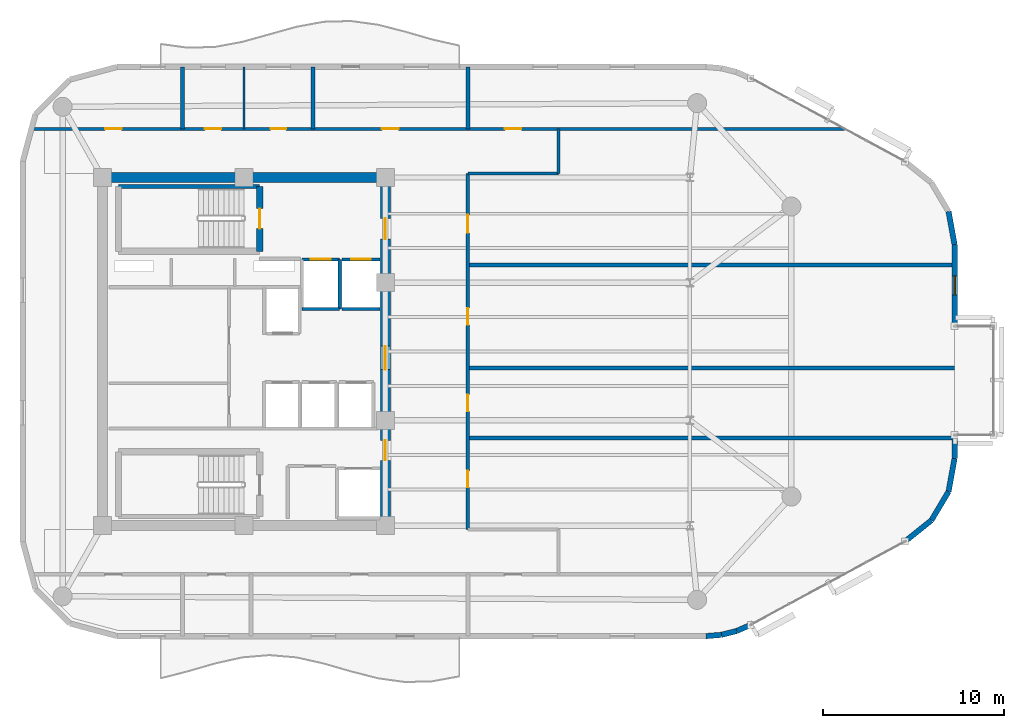
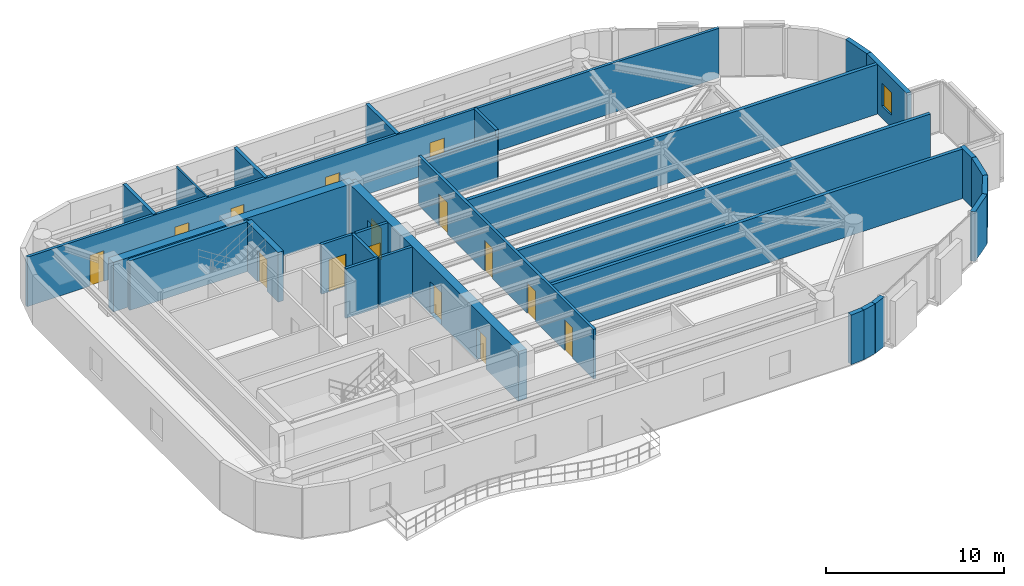
# One storey, part 11 of 14: 29 walls, 15 doors, 1 window, 16 openings.
"""IFC4 building model written with IfcOpenShell, lengths in metres."""

from ifc_helpers import new_model, si_unit, direction, frame, frame_2d, origin, place, context, subcontext, project, spatial, rectangle, extrude, material, layer, layer_set, type_object, element, fill, save


model = new_model("IFC4")

# Units and contexts
model_context = context("Model", 3, precision=1e-05, world=origin(), true_north=direction((0.0, 1.0)))
body_context = subcontext(model_context, "Body", "Model", "MODEL_VIEW")
ifc_project = project(units=[si_unit("LENGTHUNIT", "METRE"), si_unit("AREAUNIT", "SQUARE_METRE"), si_unit("VOLUMEUNIT", "CUBIC_METRE"), si_unit("PLANEANGLEUNIT", "RADIAN"), si_unit("MASSUNIT", "GRAM", prefix="KILO")], contexts=[model_context])

# Site, building, storey
site_placement = place(None, origin())
site = spatial("IfcSite", under=ifc_project, at=site_placement, CompositionType="ELEMENT")
building_placement = place(site_placement, origin())
building = spatial("IfcBuilding", under=site, at=building_placement, Name="An Khanh Terracotta Commons", CompositionType="ELEMENT")
storey_placement = place(building_placement, frame((0.0, 0.0, 219.300048828125)))
storey = spatial("IfcBuildingStorey", under=building, at=storey_placement, Name="L57", CompositionType="ELEMENT", Elevation=219.300048828125)

# Wall
ifc_material_1 = material(Name="Concrete C50/60", Category="concrete")
ifc_layer_1 = layer(ifc_material_1, 0.550048828125, Name="Concrete C50/60")
ifc_layer_set_1 = layer_set([ifc_layer_1], Name="Concrete C50/60")
wall_type_1 = type_object("IfcWallType", Name="WALL-CORE-550", PredefinedType="SHEAR", material=ifc_layer_set_1)
wall_1_placement = place(storey_placement, frame((21.60009765625, 33.60009765625, 0.0), z_axis=(0.0, 0.0, 1.0), x_axis=(1.0, 0.0, 0.0)))
element("IfcWall", 1, at=wall_1_placement, inside=storey, type_object=wall_type_1, Name="L57 Core Wall CWALL-L57-N", PredefinedType="SHEAR", context=body_context, shape_type="SweptSolid", body=[
    extrude(rectangle(XDim=15.599853515625, YDim=0.550048828125, at=frame_2d((7.7998046875, 0.0))), origin(), (0.0, 0.0, 1.0), 3.39990234375),
])

# Wall, openings, doors
wall_2_placement = place(storey_placement, frame((37.199951171875, 14.39990234375, 0.0), z_axis=(0.0, 0.0, 1.0), x_axis=(0.0, 1.0, 0.0)))
wall_2 = element("IfcWall", 2, at=wall_2_placement, inside=storey, type_object=wall_type_1, Name="L57 Core Wall CWALL-L57-E", PredefinedType="SHEAR", context=body_context, shape_type="SweptSolid", body=[
    extrude(rectangle(XDim=19.2001953125, YDim=0.550048828125, at=frame_2d((9.60009765625, 0.0))), origin(), (0.0, 0.0, 1.0), 3.39990234375),
])
opening_1_placement = place(wall_2_placement, frame((15.800048828125, 0.0, 0.0)))
opening_1 = element("IfcOpeningElement", 3, at=opening_1_placement, cuts=wall_2, Name="Opening D-FFL", PredefinedType="OPENING", context=body_context, shape_type="SweptSolid", body=[
    extrude(rectangle(XDim=1.14990234375, YDim=2.14990234375, at=frame_2d((0.574951171875, 1.074951171875))), frame((0.0, 0.284912109375, 0.0), z_axis=(0.0, -1.0, 0.0), x_axis=(1.0, 0.0, 0.0)), (0.0, 0.0, 1.0), 0.570068359375),
])
opening_2_placement = place(wall_2_placement, frame((3.60009765625, 0.0, 0.0)))
opening_2 = element("IfcOpeningElement", 4, at=opening_2_placement, cuts=wall_2, Name="Opening D-ST", PredefinedType="OPENING", context=body_context, shape_type="SweptSolid", body=[
    extrude(rectangle(XDim=1.10009765625, YDim=2.14990234375, at=frame_2d((0.550048828125, 1.074951171875))), frame((0.0, 0.284912109375, 0.0), z_axis=(0.0, -1.0, 0.0), x_axis=(1.0, 0.0, 0.0)), (0.0, 0.0, 1.0), 0.570068359375),
])
opening_3_placement = place(wall_2_placement, frame((8.60009765625, 0.0, 0.0)))
opening_3 = element("IfcOpeningElement", 5, at=opening_3_placement, cuts=wall_2, Name="Opening D-COR", PredefinedType="OPENING", context=body_context, shape_type="SweptSolid", body=[
    extrude(rectangle(XDim=1.300048828125, YDim=2.199951171875, at=frame_2d((0.64990234375, 1.10009765625))), frame((0.0, 0.284912109375, 0.0), z_axis=(0.0, -1.0, 0.0), x_axis=(1.0, 0.0, 0.0)), (0.0, 0.0, 1.0), 0.570068359375),
])
ifc_material_2 = material(Name="Fire-Rated Glazed Steel Double Door", Category="steel")
door_type_1 = type_object("IfcDoorType", Name="DOOR-CORR-1300", OperationType="NOTDEFINED", PredefinedType="DOOR", material=ifc_material_2)
door_1_placement = place(opening_3_placement, origin())
door_1 = element("IfcDoor", 6, at=door_1_placement, inside=storey, type_object=door_type_1, Name="L57 Passenger Lift Lobby Double Door", OperationType="DOUBLE_DOOR_SINGLE_SWING", OverallHeight=2.199951171875, OverallWidth=1.300048828125, PredefinedType="DOOR", context=body_context, shape_type="SweptSolid", body=[
    extrude(rectangle(XDim=1.300048828125, YDim=2.199951171875, at=frame_2d((0.64990234375, 1.10009765625))), frame((0.0, 0.02490234375, 0.0), z_axis=(0.0, -1.0, 0.0), x_axis=(1.0, 0.0, 0.0)), (0.0, 0.0, 1.0), 0.050048828125),
])
fill(opening_3, door_1)
ifc_material_3 = material(Name="Fire-Rated Steel Leaf and Vision Panel", Category="steel")
door_type_2 = type_object("IfcDoorType", Name="DOOR-FFL-1150", OperationType="NOTDEFINED", PredefinedType="DOOR", material=ifc_material_3)
door_2_placement = place(opening_1_placement, origin())
door_2 = element("IfcDoor", 7, at=door_2_placement, inside=storey, type_object=door_type_2, Name="L57 Firefighting Lift Lobby Fire Door", OperationType="SINGLE_SWING_LEFT", OverallHeight=2.14990234375, OverallWidth=1.14990234375, PredefinedType="DOOR", context=body_context, shape_type="SweptSolid", body=[
    extrude(rectangle(XDim=1.14990234375, YDim=2.14990234375, at=frame_2d((0.574951171875, 1.074951171875))), frame((0.0, 0.02490234375, 0.0), z_axis=(0.0, -1.0, 0.0), x_axis=(1.0, 0.0, 0.0)), (0.0, 0.0, 1.0), 0.050048828125),
])
fill(opening_1, door_2)
ifc_material_4 = material(Name="Fire-Rated Steel Leaf and Frame", Category="steel")
door_type_3 = type_object("IfcDoorType", Name="DOOR-STAIR-1100", OperationType="NOTDEFINED", PredefinedType="DOOR", material=ifc_material_4)
door_3_placement = place(opening_2_placement, origin())
door_3 = element("IfcDoor", 8, at=door_3_placement, inside=storey, type_object=door_type_3, Name="L57 South Stair Lobby Fire Door", OperationType="SINGLE_SWING_RIGHT", OverallHeight=2.14990234375, OverallWidth=1.10009765625, PredefinedType="DOOR", context=body_context, shape_type="SweptSolid", body=[
    extrude(rectangle(XDim=1.10009765625, YDim=2.14990234375, at=frame_2d((0.550048828125, 1.074951171875))), frame((0.0, 0.02490234375, 0.0), z_axis=(0.0, -1.0, 0.0), x_axis=(1.0, 0.0, 0.0)), (0.0, 0.0, 1.0), 0.050048828125),
])
fill(opening_2, door_3)

# Wall, opening, door
ifc_material_5 = material(Name="Fire-Rated Gypsum Board on Steel Stud", Category="steel")
ifc_layer_2 = layer(ifc_material_5, 0.179931640625, Name="Fire-Rated Gypsum Board on Steel Stud")
ifc_layer_set_2 = layer_set([ifc_layer_2], Name="Fire-Rated Gypsum Board on Steel Stud")
wall_type_2 = type_object("IfcWallType", Name="WALL-CORR-180", PredefinedType="PARTITIONING", material=ifc_layer_set_2)
wall_3_placement = place(storey_placement, frame((32.60009765625, 29.080078125, 0.0), z_axis=(0.0, 0.0, 1.0), x_axis=(1.0, 0.0, 0.0)))
wall_3 = element("IfcWall", 9, at=wall_3_placement, inside=storey, type_object=wall_type_2, Name="L57 Core Wall LSH-L57-FFL-01-N", PredefinedType="PARTITIONING", context=body_context, shape_type="SweptSolid", body=[
    extrude(rectangle(XDim=2.079833984375, YDim=0.179931640625, at=frame_2d((1.0400390625, 0.0))), origin(), (0.0, 0.0, 1.0), 3.39990234375),
])
opening_4_placement = place(wall_3_placement, frame((0.489990234375, 0.0, 0.0)))
opening_4 = element("IfcOpeningElement", 10, at=opening_4_placement, cuts=wall_3, Name="Opening LD-FFL-01-L57", PredefinedType="OPENING", context=body_context, shape_type="SweptSolid", body=[
    extrude(rectangle(XDim=1.10009765625, YDim=2.199951171875, at=frame_2d((0.550048828125, 1.10009765625))), frame((0.0, 0.099853515625, 0.0), z_axis=(0.0, -1.0, 0.0), x_axis=(1.0, 0.0, 0.0)), (0.0, 0.0, 1.0), 0.199951171875),
])
ifc_material_6 = material(Name="Brushed Stainless Steel Fire Landing Door", Category="steel")
door_type_4 = type_object("IfcDoorType", Name="DOOR-LD-FFL-1100", OperationType="NOTDEFINED", PredefinedType="DOOR", material=ifc_material_6)
door_4_placement = place(opening_4_placement, origin())
door_4 = element("IfcDoor", 11, at=door_4_placement, inside=storey, type_object=door_type_4, Name="L57 Lift FFL-01 Sliding Landing Door", OperationType="DOUBLE_DOOR_SLIDING", OverallHeight=2.199951171875, OverallWidth=1.10009765625, PredefinedType="DOOR", context=body_context, shape_type="SweptSolid", body=[
    extrude(rectangle(XDim=1.10009765625, YDim=2.199951171875, at=frame_2d((0.550048828125, 1.10009765625))), frame((0.0, 0.02490234375, 0.0), z_axis=(0.0, -1.0, 0.0), x_axis=(1.0, 0.0, 0.0)), (0.0, 0.0, 1.0), 0.050048828125),
])
fill(opening_4, door_4)

# Walls
wall_4_placement = place(storey_placement, frame((34.679931640625, 26.35009765625, 0.0), z_axis=(0.0, 0.0, 1.0), x_axis=(-1.0, 0.0, 0.0)))
element("IfcWall", 12, at=wall_4_placement, inside=storey, type_object=wall_type_2, Name="L57 Core Wall LSH-L57-FFL-01-S", PredefinedType="PARTITIONING", context=body_context, shape_type="SweptSolid", body=[
    extrude(rectangle(XDim=2.079833984375, YDim=0.179931640625, at=frame_2d((1.0400390625, 0.0))), origin(), (0.0, 0.0, 1.0), 3.39990234375),
])
wall_5_placement = place(storey_placement, frame((34.679931640625, 26.35009765625, 0.0), z_axis=(0.0, 0.0, 1.0), x_axis=(0.0, 1.0, 0.0)))
element("IfcWall", 13, at=wall_5_placement, inside=storey, type_object=wall_type_2, Name="L57 Core Wall LSH-L57-FFL-01-E", PredefinedType="PARTITIONING", context=body_context, shape_type="SweptSolid", body=[
    extrude(rectangle(XDim=2.72998046875, YDim=0.179931640625, at=frame_2d((1.364990234375, 0.0))), origin(), (0.0, 0.0, 1.0), 3.39990234375),
])

# Wall, opening, door
wall_6_placement = place(storey_placement, frame((34.820068359375, 29.080078125, 0.0), z_axis=(0.0, 0.0, 1.0), x_axis=(1.0, 0.0, 0.0)))
wall_6 = element("IfcWall", 14, at=wall_6_placement, inside=storey, type_object=wall_type_2, Name="L57 Core Wall LSH-L57-FFL-02-N", PredefinedType="PARTITIONING", context=body_context, shape_type="SweptSolid", body=[
    extrude(rectangle(XDim=2.079833984375, YDim=0.179931640625, at=frame_2d((1.0400390625, 0.0))), origin(), (0.0, 0.0, 1.0), 3.39990234375),
])
opening_5_placement = place(wall_6_placement, frame((0.489990234375, 0.0, 0.0)))
opening_5 = element("IfcOpeningElement", 15, at=opening_5_placement, cuts=wall_6, Name="Opening LD-FFL-02-L57", PredefinedType="OPENING", context=body_context, shape_type="SweptSolid", body=[
    extrude(rectangle(XDim=1.10009765625, YDim=2.199951171875, at=frame_2d((0.550048828125, 1.10009765625))), frame((0.0, 0.099853515625, 0.0), z_axis=(0.0, -1.0, 0.0), x_axis=(1.0, 0.0, 0.0)), (0.0, 0.0, 1.0), 0.199951171875),
])
door_5_placement = place(opening_5_placement, origin())
door_5 = element("IfcDoor", 16, at=door_5_placement, inside=storey, type_object=door_type_4, Name="L57 Lift FFL-02 Sliding Landing Door", OperationType="DOUBLE_DOOR_SLIDING", OverallHeight=2.199951171875, OverallWidth=1.10009765625, PredefinedType="DOOR", context=body_context, shape_type="SweptSolid", body=[
    extrude(rectangle(XDim=1.10009765625, YDim=2.199951171875, at=frame_2d((0.550048828125, 1.10009765625))), frame((0.0, 0.02490234375, 0.0), z_axis=(0.0, -1.0, 0.0), x_axis=(1.0, 0.0, 0.0)), (0.0, 0.0, 1.0), 0.050048828125),
])
fill(opening_5, door_5)

# Walls
wall_7_placement = place(storey_placement, frame((36.89990234375, 26.35009765625, 0.0), z_axis=(0.0, 0.0, 1.0), x_axis=(-1.0, 0.0, 0.0)))
element("IfcWall", 17, at=wall_7_placement, inside=storey, type_object=wall_type_2, Name="L57 Core Wall LSH-L57-FFL-02-S", PredefinedType="PARTITIONING", context=body_context, shape_type="SweptSolid", body=[
    extrude(rectangle(XDim=2.079833984375, YDim=0.179931640625, at=frame_2d((1.0400390625, 0.0))), origin(), (0.0, 0.0, 1.0), 3.39990234375),
])
wall_8_placement = place(storey_placement, frame((41.75, 33.820068359375, 0.0), z_axis=(0.0, 0.0, 1.0), x_axis=(1.0, 0.0, 0.0)))
element("IfcWall", 18, at=wall_8_placement, inside=storey, type_object=wall_type_2, Name="L57 Interior Partition IW-L57-E006", PredefinedType="PARTITIONING", context=body_context, shape_type="SweptSolid", body=[
    extrude(rectangle(XDim=5.0, YDim=0.179931640625, at=frame_2d((2.5, 0.0))), origin(), (0.0, 0.0, 1.0), 2.98193359375),
])

# Wall, openings, doors
wall_9_placement = place(storey_placement, frame((17.677001953125, 36.280029296875, 0.0), z_axis=(0.0, 0.0, 1.0), x_axis=(1.0, 0.0, 0.0)))
wall_9 = element("IfcWall", 19, at=wall_9_placement, inside=storey, type_object=wall_type_2, Name="L57 Interior Partition IW-L57-E007", PredefinedType="PARTITIONING", context=body_context, shape_type="SweptSolid", body=[
    extrude(rectangle(XDim=44.85302734375, YDim=0.179931640625, at=frame_2d((22.426513671875, 0.0))), origin(), (0.0, 0.0, 1.0), 3.39990234375),
])
opening_6_placement = place(wall_9_placement, frame((9.572998046875, 0.0, 0.0)))
opening_6 = element("IfcOpeningElement", 20, at=opening_6_placement, cuts=wall_9, Name="Opening D-WC", PredefinedType="OPENING", context=body_context, shape_type="SweptSolid", body=[
    extrude(rectangle(XDim=0.89990234375, YDim=2.10009765625, at=frame_2d((0.449951171875, 1.050048828125))), frame((0.0, 0.099853515625, 0.0), z_axis=(0.0, -1.0, 0.0), x_axis=(1.0, 0.0, 0.0)), (0.0, 0.0, 1.0), 0.199951171875),
])
opening_7_placement = place(wall_9_placement, frame((13.193115234375, 0.0, 0.0)))
opening_7 = element("IfcOpeningElement", 21, at=opening_7_placement, cuts=wall_9, Name="Opening D-ENS", PredefinedType="OPENING", context=body_context, shape_type="SweptSolid", body=[
    extrude(rectangle(XDim=0.860107421875, YDim=2.10009765625, at=frame_2d((0.43017578125, 1.050048828125))), frame((0.0, 0.099853515625, 0.0), z_axis=(0.0, -1.0, 0.0), x_axis=(1.0, 0.0, 0.0)), (0.0, 0.0, 1.0), 0.199951171875),
])
opening_8_placement = place(wall_9_placement, frame((26.113037109375, 0.0, 0.0)))
opening_8 = element("IfcOpeningElement", 22, at=opening_8_placement, cuts=wall_9, Name="Opening D-RM", PredefinedType="OPENING", context=body_context, shape_type="SweptSolid", body=[
    extrude(rectangle(XDim=0.919921875, YDim=2.10009765625, at=frame_2d((0.4599609375, 1.050048828125))), frame((0.0, 0.099853515625, 0.0), z_axis=(0.0, -1.0, 0.0), x_axis=(1.0, 0.0, 0.0)), (0.0, 0.0, 1.0), 0.199951171875),
])
opening_9_placement = place(wall_9_placement, frame((4.06298828125, 0.0, 0.0)))
opening_9 = element("IfcOpeningElement", 23, at=opening_9_placement, cuts=wall_9, Name="Opening D-RM", PredefinedType="OPENING", context=body_context, shape_type="SweptSolid", body=[
    extrude(rectangle(XDim=0.919921875, YDim=2.10009765625, at=frame_2d((0.4599609375, 1.050048828125))), frame((0.0, 0.099853515625, 0.0), z_axis=(0.0, -1.0, 0.0), x_axis=(1.0, 0.0, 0.0)), (0.0, 0.0, 1.0), 0.199951171875),
])
opening_10_placement = place(wall_9_placement, frame((19.337890625, 0.0, 0.0)))
opening_10 = element("IfcOpeningElement", 24, at=opening_10_placement, cuts=wall_9, Name="Opening D-RM", PredefinedType="OPENING", context=body_context, shape_type="SweptSolid", body=[
    extrude(rectangle(XDim=0.919921875, YDim=2.10009765625, at=frame_2d((0.4599609375, 1.050048828125))), frame((0.0, 0.099853515625, 0.0), z_axis=(0.0, -1.0, 0.0), x_axis=(1.0, 0.0, 0.0)), (0.0, 0.0, 1.0), 0.199951171875),
])
ifc_material_7 = material(Name="Moisture-Resistant Hardwood Timber Leaf", Category="wood")
door_type_5 = type_object("IfcDoorType", Name="DOOR-BATH-860", OperationType="NOTDEFINED", PredefinedType="DOOR", material=ifc_material_7)
door_6_placement = place(opening_7_placement, origin())
door_6 = element("IfcDoor", 25, at=door_6_placement, inside=storey, type_object=door_type_5, Name="L57 SHW Resident Shared Shower and Washroom Door", OperationType="SINGLE_SWING_LEFT", OverallHeight=2.10009765625, OverallWidth=0.860107421875, PredefinedType="DOOR", context=body_context, shape_type="SweptSolid", body=[
    extrude(rectangle(XDim=0.860107421875, YDim=2.10009765625, at=frame_2d((0.43017578125, 1.050048828125))), frame((0.0, 0.02490234375, 0.0), z_axis=(0.0, -1.0, 0.0), x_axis=(1.0, 0.0, 0.0)), (0.0, 0.0, 1.0), 0.050048828125),
])
fill(opening_7, door_6)
ifc_material_8 = material(Name="Engineered Hardwood Timber Leaf", Category="wood")
door_type_6 = type_object("IfcDoorType", Name="DOOR-INT-920", OperationType="NOTDEFINED", PredefinedType="DOOR", material=ifc_material_8)
door_7_placement = place(opening_8_placement, origin())
door_7 = element("IfcDoor", 26, at=door_7_placement, inside=storey, type_object=door_type_6, Name="L57 FANN Quiet Focus Office Door", OperationType="SINGLE_SWING_LEFT", OverallHeight=2.10009765625, OverallWidth=0.919921875, PredefinedType="DOOR", context=body_context, shape_type="SweptSolid", body=[
    extrude(rectangle(XDim=0.919921875, YDim=2.10009765625, at=frame_2d((0.4599609375, 1.050048828125))), frame((0.0, 0.02490234375, 0.0), z_axis=(0.0, -1.0, 0.0), x_axis=(1.0, 0.0, 0.0)), (0.0, 0.0, 1.0), 0.050048828125),
])
fill(opening_8, door_7)
door_8_placement = place(opening_9_placement, origin())
door_8 = element("IfcDoor", 27, at=door_8_placement, inside=storey, type_object=door_type_6, Name="L57 NW1 Collaborative Co-Working Office Door", OperationType="SINGLE_SWING_LEFT", OverallHeight=2.10009765625, OverallWidth=0.919921875, PredefinedType="DOOR", context=body_context, shape_type="SweptSolid", body=[
    extrude(rectangle(XDim=0.919921875, YDim=2.10009765625, at=frame_2d((0.4599609375, 1.050048828125))), frame((0.0, 0.02490234375, 0.0), z_axis=(0.0, -1.0, 0.0), x_axis=(1.0, 0.0, 0.0)), (0.0, 0.0, 1.0), 0.050048828125),
])
fill(opening_9, door_8)
door_9_placement = place(opening_10_placement, origin())
door_9 = element("IfcDoor", 28, at=door_9_placement, inside=storey, type_object=door_type_6, Name="L57 NWE Collaborative Co-Working Office Door", OperationType="SINGLE_SWING_RIGHT", OverallHeight=2.10009765625, OverallWidth=0.919921875, PredefinedType="DOOR", context=body_context, shape_type="SweptSolid", body=[
    extrude(rectangle(XDim=0.919921875, YDim=2.10009765625, at=frame_2d((0.4599609375, 1.050048828125))), frame((0.0, 0.02490234375, 0.0), z_axis=(0.0, -1.0, 0.0), x_axis=(1.0, 0.0, 0.0)), (0.0, 0.0, 1.0), 0.050048828125),
])
fill(opening_10, door_9)
ifc_material_9 = material(Name="Laminate Moisture-Resistant Timber Leaf", Category="wood")
door_type_7 = type_object("IfcDoorType", Name="DOOR-WC-900", OperationType="NOTDEFINED", PredefinedType="DOOR", material=ifc_material_9)
door_10_placement = place(opening_6_placement, origin())
door_10 = element("IfcDoor", 29, at=door_10_placement, inside=storey, type_object=door_type_7, Name="L57 AWC Accessible WC Door", OperationType="SINGLE_SWING_RIGHT", OverallHeight=2.10009765625, OverallWidth=0.89990234375, PredefinedType="DOOR", context=body_context, shape_type="SweptSolid", body=[
    extrude(rectangle(XDim=0.89990234375, YDim=2.10009765625, at=frame_2d((0.449951171875, 1.050048828125))), frame((0.0, 0.02490234375, 0.0), z_axis=(0.0, -1.0, 0.0), x_axis=(1.0, 0.0, 0.0)), (0.0, 0.0, 1.0), 0.050048828125),
])
fill(opening_6, door_10)

wall_10_placement = place(storey_placement, frame((41.75, 14.179931640625, 0.0), z_axis=(0.0, 0.0, 1.0), x_axis=(0.0, 1.0, 0.0)))
wall_10 = element("IfcWall", 30, at=wall_10_placement, inside=storey, type_object=wall_type_2, Name="L57 Interior Partition IW-L57-E014", PredefinedType="PARTITIONING", context=body_context, shape_type="SweptSolid", body=[
    extrude(rectangle(XDim=19.64013671875, YDim=0.179931640625, at=frame_2d((9.820068359375, 0.0))), origin(), (0.0, 0.0, 1.0), 3.39990234375),
])
opening_11_placement = place(wall_10_placement, frame((2.322021484375, 0.0, 0.0)))
opening_11 = element("IfcOpeningElement", 31, at=opening_11_placement, cuts=wall_10, Name="Opening D-RM", PredefinedType="OPENING", context=body_context, shape_type="SweptSolid", body=[
    extrude(rectangle(XDim=0.919921875, YDim=2.10009765625, at=frame_2d((0.4599609375, 1.050048828125))), frame((0.0, 0.099853515625, 0.0), z_axis=(0.0, -1.0, 0.0), x_axis=(1.0, 0.0, 0.0)), (0.0, 0.0, 1.0), 0.199951171875),
])
opening_12_placement = place(wall_10_placement, frame((6.51708984375, 0.0, 0.0)))
opening_12 = element("IfcOpeningElement", 32, at=opening_12_placement, cuts=wall_10, Name="Opening D-RM", PredefinedType="OPENING", context=body_context, shape_type="SweptSolid", body=[
    extrude(rectangle(XDim=0.919921875, YDim=2.10009765625, at=frame_2d((0.4599609375, 1.050048828125))), frame((0.0, 0.099853515625, 0.0), z_axis=(0.0, -1.0, 0.0), x_axis=(1.0, 0.0, 0.0)), (0.0, 0.0, 1.0), 0.199951171875),
])
opening_13_placement = place(wall_10_placement, frame((11.29296875, 0.0, 0.0)))
opening_13 = element("IfcOpeningElement", 33, at=opening_13_placement, cuts=wall_10, Name="Opening D-RM", PredefinedType="OPENING", context=body_context, shape_type="SweptSolid", body=[
    extrude(rectangle(XDim=0.919921875, YDim=2.10009765625, at=frame_2d((0.4599609375, 1.050048828125))), frame((0.0, 0.099853515625, 0.0), z_axis=(0.0, -1.0, 0.0), x_axis=(1.0, 0.0, 0.0)), (0.0, 0.0, 1.0), 0.199951171875),
])
opening_14_placement = place(wall_10_placement, frame((16.35791015625, 0.0, 0.0)))
opening_14 = element("IfcOpeningElement", 34, at=opening_14_placement, cuts=wall_10, Name="Opening D-UN", PredefinedType="OPENING", context=body_context, shape_type="SweptSolid", body=[
    extrude(rectangle(XDim=1.0, YDim=2.14990234375, at=frame_2d((0.5, 1.074951171875))), frame((0.0, 0.099853515625, 0.0), z_axis=(0.0, -1.0, 0.0), x_axis=(1.0, 0.0, 0.0)), (0.0, 0.0, 1.0), 0.199951171875),
])
door_11_placement = place(opening_11_placement, origin())
door_11 = element("IfcDoor", 35, at=door_11_placement, inside=storey, type_object=door_type_6, Name="L57 FAN1 Collaborative Co-Working Office Door", OperationType="SINGLE_SWING_LEFT", OverallHeight=2.10009765625, OverallWidth=0.919921875, PredefinedType="DOOR", context=body_context, shape_type="SweptSolid", body=[
    extrude(rectangle(XDim=0.919921875, YDim=2.10009765625, at=frame_2d((0.4599609375, 1.050048828125))), frame((0.0, 0.02490234375, 0.0), z_axis=(0.0, -1.0, 0.0), x_axis=(1.0, 0.0, 0.0)), (0.0, 0.0, 1.0), 0.050048828125),
])
fill(opening_11, door_11)
door_12_placement = place(opening_12_placement, origin())
door_12 = element("IfcDoor", 36, at=door_12_placement, inside=storey, type_object=door_type_6, Name="L57 FAN2 Collaborative Co-Working Office Door", OperationType="SINGLE_SWING_RIGHT", OverallHeight=2.10009765625, OverallWidth=0.919921875, PredefinedType="DOOR", context=body_context, shape_type="SweptSolid", body=[
    extrude(rectangle(XDim=0.919921875, YDim=2.10009765625, at=frame_2d((0.4599609375, 1.050048828125))), frame((0.0, 0.02490234375, 0.0), z_axis=(0.0, -1.0, 0.0), x_axis=(1.0, 0.0, 0.0)), (0.0, 0.0, 1.0), 0.050048828125),
])
fill(opening_12, door_12)
door_13_placement = place(opening_13_placement, origin())
door_13 = element("IfcDoor", 37, at=door_13_placement, inside=storey, type_object=door_type_6, Name="L57 FAN3 Collaborative Co-Working Office Door", OperationType="SINGLE_SWING_LEFT", OverallHeight=2.10009765625, OverallWidth=0.919921875, PredefinedType="DOOR", context=body_context, shape_type="SweptSolid", body=[
    extrude(rectangle(XDim=0.919921875, YDim=2.10009765625, at=frame_2d((0.4599609375, 1.050048828125))), frame((0.0, 0.02490234375, 0.0), z_axis=(0.0, -1.0, 0.0), x_axis=(1.0, 0.0, 0.0)), (0.0, 0.0, 1.0), 0.050048828125),
])
fill(opening_13, door_13)
ifc_material_10 = material(Name="Solid-Core Hardwood Acoustic Fire Door", Category="wood")
door_type_8 = type_object("IfcDoorType", Name="DOOR-UNIT-1000", OperationType="NOTDEFINED", PredefinedType="DOOR", material=ifc_material_10)
door_14_placement = place(opening_14_placement, origin())
door_14 = element("IfcDoor", 38, at=door_14_placement, inside=storey, type_object=door_type_8, Name="L57 FAN4 Yoga Wellness Studio Door", OperationType="SINGLE_SWING_RIGHT", OverallHeight=2.14990234375, OverallWidth=1.0, PredefinedType="DOOR", context=body_context, shape_type="SweptSolid", body=[
    extrude(rectangle(XDim=1.0, YDim=2.14990234375, at=frame_2d((0.5, 1.074951171875))), frame((0.0, 0.02490234375, 0.0), z_axis=(0.0, -1.0, 0.0), x_axis=(1.0, 0.0, 0.0)), (0.0, 0.0, 1.0), 0.050048828125),
])
fill(opening_14, door_14)

# Walls
wall_11_placement = place(storey_placement, frame((46.75, 33.820068359375, 0.0), z_axis=(0.0, 0.0, 1.0), x_axis=(0.0, 1.0, 0.0)))
element("IfcWall", 39, at=wall_11_placement, inside=storey, type_object=wall_type_2, Name="L57 Interior Partition IW-L57-E017", PredefinedType="PARTITIONING", context=body_context, shape_type="SweptSolid", body=[
    extrude(rectangle(XDim=2.4599609375, YDim=0.179931640625, at=frame_2d((1.22998046875, 0.0))), origin(), (0.0, 0.0, 1.0), 3.39990234375),
])
ifc_material_11 = material(Name="Precast concrete C40/50", Category="concrete")
ifc_layer_3 = layer(ifc_material_11, 0.300048828125, Name="Precast concrete C40/50")
ifc_layer_set_3 = layer_set([ifc_layer_3], Name="Precast concrete C40/50")
wall_type_3 = type_object("IfcWallType", Name="WALL-EXT-300", PredefinedType="SOLIDWALL", material=ifc_layer_set_3)
wall_12_placement = place(storey_placement, frame((54.885009765625, 8.300048828125, 0.0), z_axis=(0.0, 0.0, 1.0), x_axis=(0.996565355958, 0.082809971041, 0.0)))
element("IfcWall", 40, at=wall_12_placement, inside=storey, type_object=wall_type_3, Name="L57 Insulated Terracotta Exterior Wall 5", PredefinedType="SOLIDWALL", context=body_context, shape_type="SweptSolid", body=[
    extrude(rectangle(XDim=0.85791015625, YDim=0.300048828125, at=frame_2d((0.428955078125, 0.0))), origin(), (0.0, 0.0, 1.0), 3.39990234375),
])
wall_13_placement = place(storey_placement, frame((55.739990234375, 8.37109375, 0.0), z_axis=(0.0, 0.0, 1.0), x_axis=(0.969536346338, 0.244947490555, 0.0)))
element("IfcWall", 41, at=wall_13_placement, inside=storey, type_object=wall_type_3, Name="L57 Insulated Terracotta Exterior Wall 6", PredefinedType="SOLIDWALL", context=body_context, shape_type="SweptSolid", body=[
    extrude(rectangle(XDim=0.857177734375, YDim=0.300048828125, at=frame_2d((0.4287109375, 0.0))), origin(), (0.0, 0.0, 1.0), 3.39990234375),
])
wall_14_placement = place(storey_placement, frame((56.571044921875, 8.5810546875, 0.0), z_axis=(0.0, 0.0, 1.0), x_axis=(0.916085473636, 0.400983048261, 0.0)))
element("IfcWall", 42, at=wall_14_placement, inside=storey, type_object=wall_type_3, Name="L57 Insulated Terracotta Exterior Wall 7", PredefinedType="SOLIDWALL", context=body_context, shape_type="SweptSolid", body=[
    extrude(rectangle(XDim=0.85791015625, YDim=0.300048828125, at=frame_2d((0.428955078125, 0.0))), origin(), (0.0, 0.0, 1.0), 3.39990234375),
])
wall_15_placement = place(storey_placement, frame((65.8720703125, 13.52587890625, 0.0), z_axis=(0.0, 0.0, 1.0), x_axis=(0.780920189257, 0.624630817372, 0.0)))
element("IfcWall", 43, at=wall_15_placement, inside=storey, type_object=wall_type_3, Name="L57 Insulated Terracotta Exterior Wall 9", PredefinedType="SOLIDWALL", context=body_context, shape_type="SweptSolid", body=[
    extrude(rectangle(XDim=1.854248046875, YDim=0.300048828125, at=frame_2d((0.92724609375, 0.0))), origin(), (0.0, 0.0, 1.0), 3.39990234375),
])
wall_16_placement = place(storey_placement, frame((67.320068359375, 14.68408203125, 0.0), z_axis=(0.0, 0.0, 1.0), x_axis=(0.512072018927, 0.858942516955, 0.0)))
element("IfcWall", 44, at=wall_16_placement, inside=storey, type_object=wall_type_3, Name="L57 Insulated Terracotta Exterior Wall 10", PredefinedType="SOLIDWALL", context=body_context, shape_type="SweptSolid", body=[
    extrude(rectangle(XDim=1.853271484375, YDim=0.300048828125, at=frame_2d((0.9267578125, 0.0))), origin(), (0.0, 0.0, 1.0), 3.39990234375),
])
wall_17_placement = place(storey_placement, frame((68.26904296875, 16.27587890625, 0.0), z_axis=(0.0, 0.0, 1.0), x_axis=(0.178468469252, 0.983945631365, 0.0)))
element("IfcWall", 45, at=wall_17_placement, inside=storey, type_object=wall_type_3, Name="L57 Insulated Terracotta Exterior Wall 11", PredefinedType="SOLIDWALL", context=body_context, shape_type="SweptSolid", body=[
    extrude(rectangle(XDim=1.85498046875, YDim=0.300048828125, at=frame_2d((0.927490234375, 0.0))), origin(), (0.0, 0.0, 1.0), 3.39990234375),
])
wall_18_placement = place(storey_placement, frame((68.60009765625, 18.10107421875, 0.0), z_axis=(0.0, 0.0, 1.0), x_axis=(0.0, 1.0, 0.0)))
element("IfcWall", 46, at=wall_18_placement, inside=storey, type_object=wall_type_3, Name="L57 East Nose Wall South", PredefinedType="SOLIDWALL", context=body_context, shape_type="SweptSolid", body=[
    extrude(rectangle(XDim=1.298828125, YDim=0.300048828125, at=frame_2d((0.6494140625, 0.0))), origin(), (0.0, 0.0, 1.0), 3.39990234375),
])

# Wall, opening, window
wall_19_placement = place(storey_placement, frame((68.60009765625, 25.39990234375, 0.0), z_axis=(0.0, 0.0, 1.0), x_axis=(0.0, 1.0, 0.0)))
wall_19 = element("IfcWall", 47, at=wall_19_placement, inside=storey, type_object=wall_type_3, Name="L57 East Nose Wall North", PredefinedType="SOLIDWALL", context=body_context, shape_type="SweptSolid", body=[
    extrude(rectangle(XDim=4.4990234375, YDim=0.300048828125, at=frame_2d((2.24951171875, 0.0))), origin(), (0.0, 0.0, 1.0), 3.39990234375),
])
opening_15_placement = place(wall_19_placement, frame((1.72509765625, 0.0, 0.85009765625)))
opening_15 = element("IfcOpeningElement", 48, at=opening_15_placement, cuts=wall_19, Name="Opening W-06", PredefinedType="OPENING", context=body_context, shape_type="SweptSolid", body=[
    extrude(rectangle(XDim=1.050048828125, YDim=1.550048828125, at=frame_2d((0.52490234375, 0.77490234375))), frame((0.0, 0.159912109375, 0.0), z_axis=(0.0, -1.0, 0.0), x_axis=(1.0, 0.0, 0.0)), (0.0, 0.0, 1.0), 0.320068359375),
])
ifc_material_12 = material(Name="Thermally Broken Aluminium and Low-E Glass", Category="aluminium")
window_type = type_object("IfcWindowType", Name="WIN-COR-1050x1550", PartitioningType="SINGLE_PANEL", PredefinedType="WINDOW", material=ifc_material_12)
window_placement = place(opening_15_placement, origin())
window = element("IfcWindow", 49, at=window_placement, inside=storey, type_object=window_type, Name="L57 East Nose North Casement Window", OverallHeight=1.550048828125, OverallWidth=1.050048828125, PartitioningType="SINGLE_PANEL", PredefinedType="WINDOW", context=body_context, shape_type="SweptSolid", body=[
    extrude(rectangle(XDim=1.050048828125, YDim=1.550048828125, at=frame_2d((0.52490234375, 0.77490234375))), frame((0.0, 0.030029296875, 0.0), z_axis=(0.0, -1.0, 0.0), x_axis=(1.0, 0.0, 0.0)), (0.0, 0.0, 1.0), 0.06005859375),
])
fill(opening_15, window)

# Walls
wall_20_placement = place(storey_placement, frame((68.60009765625, 29.89892578125, 0.0), z_axis=(0.0, 0.0, 1.0), x_axis=(-0.178468469252, 0.983945631365, 0.0)))
element("IfcWall", 50, at=wall_20_placement, inside=storey, type_object=wall_type_3, Name="L57 Insulated Terracotta Exterior Wall 13", PredefinedType="SOLIDWALL", context=body_context, shape_type="SweptSolid", body=[
    extrude(rectangle(XDim=1.85498046875, YDim=0.300048828125, at=frame_2d((0.927490234375, 0.0))), origin(), (0.0, 0.0, 1.0), 3.39990234375),
])
ifc_material_13 = material(Name="Acoustic Double-Stud Gypsum and Mineral Wool")
ifc_layer_4 = layer(ifc_material_13, 0.219970703125, Name="Acoustic Double-Stud Gypsum and Mineral Wool")
ifc_layer_set_4 = layer_set([ifc_layer_4], Name="Acoustic Double-Stud Gypsum and Mineral Wool")
wall_type_4 = type_object("IfcWallType", Name="WALL-PARTY-220", PredefinedType="PARTITIONING", material=ifc_layer_set_4)
wall_21_placement = place(storey_placement, frame((22.47998046875, 33.110107421875, 0.0), z_axis=(0.0, 0.0, 1.0), x_axis=(1.0, 0.0, 0.0)))
element("IfcWall", 51, at=wall_21_placement, inside=storey, type_object=wall_type_4, Name="L57 Core Wall STW-L57-N-N", PredefinedType="PARTITIONING", context=body_context, shape_type="SweptSolid", body=[
    extrude(rectangle(XDim=7.7900390625, YDim=0.219970703125, at=frame_2d((3.89501953125, 0.0))), origin(), (0.0, 0.0, 1.0), 3.39990234375),
])
for number, where, z_axis, x_axis, name in (
    (52, (41.75, 19.22412109375, 0.0), (0.0, 0.0, 1.0), (1.0, 0.0, 0.0), "L57 Interior Partition IW-L57-E003"),
    (53, (41.75, 23.090087890625, 0.0), (0.0, 0.0, 1.0), (1.0, 0.0, 0.0), "L57 Interior Partition IW-L57-E004"),
    (54, (41.75, 28.77587890625, 0.0), (0.0, 0.0, 1.0), (1.0, 0.0, 0.0), "L57 Interior Partition IW-L57-E005"),
):
    element("IfcWall", number, at=place(storey_placement, frame(where, z_axis=z_axis, x_axis=x_axis)), inside=storey, type_object=wall_type_4, Name=name, PredefinedType="PARTITIONING", context=body_context, shape_type="SweptSolid", body=[
        extrude(rectangle(XDim=26.85009765625, YDim=0.219970703125, at=frame_2d((13.425048828125, 0.0))), origin(), (0.0, 0.0, 1.0), 3.39990234375),
    ])
for number, where, z_axis, x_axis, name in (
    (55, (26.0, 36.280029296875, 0.0), (0.0, 0.0, 1.0), (0.0, 1.0, 0.0), "L57 Interior Partition IW-L57-E009"),
    (56, (33.199951171875, 36.280029296875, 0.0), (0.0, 0.0, 1.0), (0.0, 1.0, 0.0), "L57 Interior Partition IW-L57-E012"),
    (57, (41.75, 36.280029296875, 0.0), (0.0, 0.0, 1.0), (0.0, 1.0, 0.0), "L57 Interior Partition IW-L57-E015"),
):
    element("IfcWall", number, at=place(storey_placement, frame(where, z_axis=z_axis, x_axis=x_axis)), inside=storey, type_object=wall_type_4, Name=name, PredefinedType="PARTITIONING", context=body_context, shape_type="SweptSolid", body=[
        extrude(rectangle(XDim=3.419921875, YDim=0.219970703125, at=frame_2d((1.7099609375, 0.0))), origin(), (0.0, 0.0, 1.0), 3.39990234375),
    ])

# Wall, opening, door
ifc_layer_5 = layer(ifc_material_1, 0.35009765625, Name="Concrete C50/60")
ifc_layer_set_5 = layer_set([ifc_layer_5], Name="Concrete C50/60")
wall_type_5 = type_object("IfcWallType", Name="WALL-SHAFT-350", PredefinedType="SOLIDWALL", material=ifc_layer_set_5)
wall_22_placement = place(storey_placement, frame((30.27001953125, 29.530029296875, 0.0), z_axis=(0.0, 0.0, 1.0), x_axis=(0.0, 1.0, 0.0)))
wall_22 = element("IfcWall", 58, at=wall_22_placement, inside=storey, type_object=wall_type_5, Name="L57 Core Wall STW-L57-N-E", PredefinedType="SOLIDWALL", context=body_context, shape_type="SweptSolid", body=[
    extrude(rectangle(XDim=3.580078125, YDim=0.35009765625, at=frame_2d((1.7900390625, 0.0))), origin(), (0.0, 0.0, 1.0), 3.39990234375),
])
opening_16_placement = place(wall_22_placement, frame((1.25, 0.0, 0.0)))
opening_16 = element("IfcOpeningElement", 59, at=opening_16_placement, cuts=wall_22, Name="Opening D-ST", PredefinedType="OPENING", context=body_context, shape_type="SweptSolid", body=[
    extrude(rectangle(XDim=1.10009765625, YDim=2.14990234375, at=frame_2d((0.550048828125, 1.074951171875))), frame((0.0, 0.18505859375, 0.0), z_axis=(0.0, -1.0, 0.0), x_axis=(1.0, 0.0, 0.0)), (0.0, 0.0, 1.0), 0.3701171875),
])
door_15_placement = place(opening_16_placement, origin())
door_15 = element("IfcDoor", 60, at=door_15_placement, inside=storey, type_object=door_type_3, Name="L57 Stair ST-01 Fire Door", OperationType="SINGLE_SWING_LEFT", OverallHeight=2.14990234375, OverallWidth=1.10009765625, PredefinedType="DOOR", context=body_context, shape_type="SweptSolid", body=[
    extrude(rectangle(XDim=1.10009765625, YDim=2.14990234375, at=frame_2d((0.550048828125, 1.074951171875))), frame((0.0, 0.02490234375, 0.0), z_axis=(0.0, -1.0, 0.0), x_axis=(1.0, 0.0, 0.0)), (0.0, 0.0, 1.0), 0.050048828125),
])
fill(opening_16, door_15)

# Wall
ifc_material_14 = material(Name="Moisture-Resistant Cement Board Partition")
ifc_layer_6 = layer(ifc_material_14, 0.1201171875, Name="Moisture-Resistant Cement Board Partition")
ifc_layer_set_6 = layer_set([ifc_layer_6], Name="Moisture-Resistant Cement Board Partition")
wall_type_6 = type_object("IfcWallType", Name="WALL-WET-120", PredefinedType="PARTITIONING", material=ifc_layer_set_6)
wall_23_placement = place(storey_placement, frame((29.39990234375, 36.280029296875, 0.0), z_axis=(0.0, 0.0, 1.0), x_axis=(0.0, 1.0, 0.0)))
element("IfcWall", 61, at=wall_23_placement, inside=storey, type_object=wall_type_6, Name="L57 Interior Partition IW-L57-E010", PredefinedType="PARTITIONING", context=body_context, shape_type="SweptSolid", body=[
    extrude(rectangle(XDim=3.419921875, YDim=0.1201171875, at=frame_2d((1.7099609375, 0.0))), origin(), (0.0, 0.0, 1.0), 3.39990234375),
])

save(model, "model.ifc")
